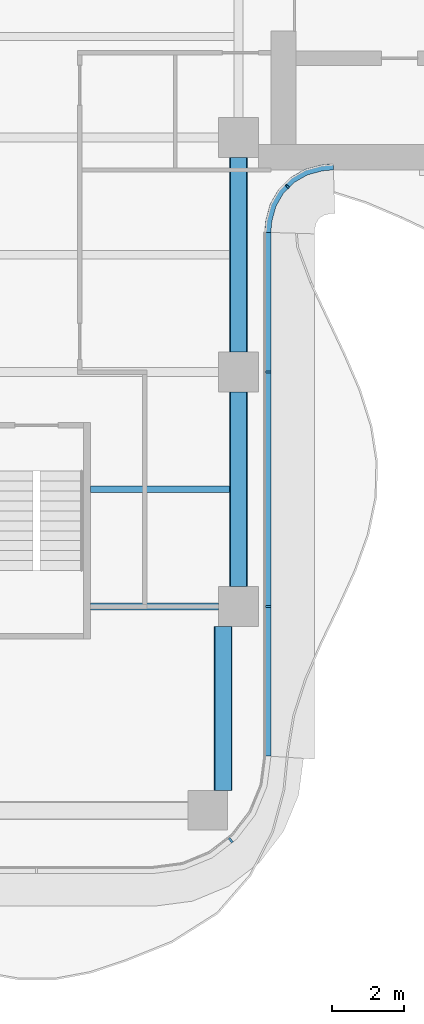
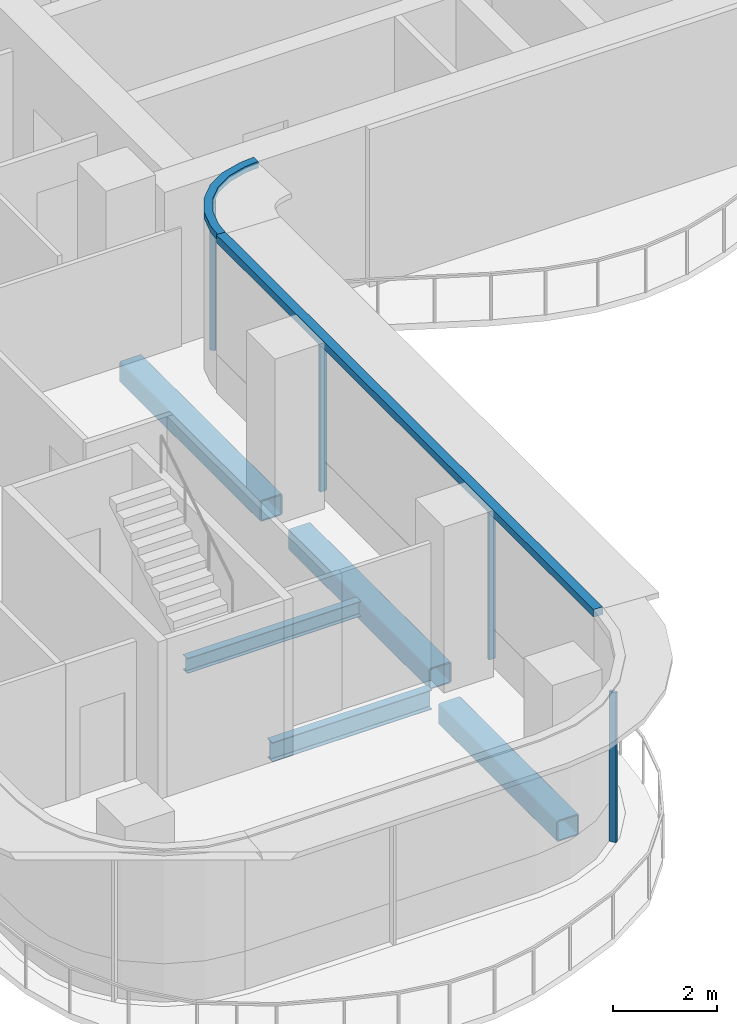
# One storey, part 5 of 17: 6 members, 5 beams, 3 elements without a shape of their own.
"""IFC4 building model written with IfcOpenShell, lengths in metres."""

from ifc_helpers import new_model, si_unit, direction, frame, origin, origin_2d, place, context, subcontext, project, spatial, polyline, rectangle, hollow_rectangle, i_section, outline, extrude, source, transform, mapped, material, layer, layer_set, material_profile, profile_set, type_object, element, aggregate, save


model = new_model("IFC4")

# Units and contexts
model_context = context("Model", 3, precision=1e-05, world=origin(), true_north=direction((0.0, 1.0)))
body_context = subcontext(model_context, "Body", "Model", "MODEL_VIEW")
ifc_project = project(units=[si_unit("LENGTHUNIT", "METRE"), si_unit("AREAUNIT", "SQUARE_METRE"), si_unit("VOLUMEUNIT", "CUBIC_METRE"), si_unit("PLANEANGLEUNIT", "RADIAN"), si_unit("MASSUNIT", "GRAM", prefix="KILO")], contexts=[model_context])

# Site, building, storey
site_placement = place(None, origin())
site = spatial("IfcSite", under=ifc_project, at=site_placement, CompositionType="ELEMENT")
building_placement = place(site_placement, origin())
building = spatial("IfcBuilding", under=site, at=building_placement, Name="Trellis Farm Tower", CompositionType="ELEMENT")
storey_placement = place(building_placement, frame((0.0, 0.0, 220.699951171875)))
storey = spatial("IfcBuildingStorey", under=building, at=storey_placement, Name="L48", CompositionType="ELEMENT", Elevation=220.699951171875)

# Beams
ifc_material_1 = material(Name="Steel S355", Category="steel")
ifc_material_profile_1 = material_profile(ifc_material_1, i_section(OverallWidth=0.1904296875, OverallDepth=0.45703125, WebThickness=0.009033203125, FlangeThickness=0.014404296875, FilletRadius=0.01025390625, at=origin_2d()), Name="UB 457x191x74")
ifc_profile_set_1 = profile_set([ifc_material_profile_1], Name="Steel S355")
beam_type_1 = type_object("IfcBeamType", Name="UB 457x191x74", PredefinedType="BEAM", material=ifc_profile_set_1)
shared_shape_1 = source(origin(), body_context, "Body", "SweptSolid", [
    extrude(i_section(OverallWidth=0.1904296875, OverallDepth=0.45703125, WebThickness=0.009033203125, FlangeThickness=0.014404296875, FilletRadius=0.01025390625, at=origin_2d()), origin(), (0.0, 0.0, 1.0), 3.550048828125),
])
beam_1_placement = place(storey_placement, frame((1.5, -18.60009765625, -0.428466796875), z_axis=(1.0, 0.0, 0.0), x_axis=(0.0, 1.0, 0.0)))
element("IfcBeam", 1, at=beam_1_placement, inside=storey, type_object=beam_type_1, Name="Girder", PredefinedType="BEAM", context=body_context, shape_type="MappedRepresentation", body=[
    mapped(shared_shape_1, transform((0.0, 0.0, 0.0))),
])
ifc_material_profile_2 = material_profile(ifc_material_1, hollow_rectangle(XDim=0.5, YDim=0.5, WallThickness=0.030029296875, InnerFilletRadius=0.030029296875, OuterFilletRadius=0.044921875, at=origin_2d()), Name="SHS 500x500x30")
ifc_profile_set_2 = profile_set([ifc_material_profile_2], Name="Steel S355")
beam_type_2 = type_object("IfcBeamType", Name="SHS 500x500x30", PredefinedType="BEAM", material=ifc_profile_set_2)
shared_shape_2 = source(origin(), body_context, "Body", "SweptSolid", [
    extrude(hollow_rectangle(XDim=0.5, YDim=0.5, WallThickness=0.030029296875, InnerFilletRadius=0.030029296875, OuterFilletRadius=0.044921875, at=origin_2d()), origin(), (0.0, 0.0, 1.0), 5.400146484375),
])
for number, where, z_axis, x_axis, name in (
    (2, (5.60009765625, -18.050048828125, -0.449951171875), (0.0, 1.0, 0.0), (-1.0, 0.0, 0.0), "Girder"),
    (3, (5.60009765625, -11.550048828125, -0.449951171875), (0.0, 1.0, 0.0), (-1.0, 0.0, 0.0), "Girder"),
):
    element("IfcBeam", number, at=place(storey_placement, frame(where, z_axis=z_axis, x_axis=x_axis)), inside=storey, type_object=beam_type_2, Name=name, PredefinedType="BEAM", context=body_context, shape_type="MappedRepresentation", body=[
        mapped(shared_shape_2, transform((0.0, 0.0, 0.0))),
    ])
shared_shape_3 = source(origin(), body_context, "Body", "SweptSolid", [
    extrude(hollow_rectangle(XDim=0.5, YDim=0.5, WallThickness=0.030029296875, InnerFilletRadius=0.030029296875, OuterFilletRadius=0.044921875, at=origin_2d()), origin(), (0.0, 0.0, 1.0), 4.550048828125),
])
beam_2_placement = place(storey_placement, frame((5.175048828125, -23.699951171875, -0.449951171875), z_axis=(0.0, 1.0, 0.0), x_axis=(-1.0, 0.0, 0.0)))
element("IfcBeam", 4, at=beam_2_placement, inside=storey, type_object=beam_type_2, Name="Girder", PredefinedType="BEAM", context=body_context, shape_type="MappedRepresentation", body=[
    mapped(shared_shape_3, transform((0.0, 0.0, 0.0))),
])
ifc_material_profile_3 = material_profile(ifc_material_1, i_section(OverallWidth=0.17138671875, OverallDepth=0.35498046875, WebThickness=0.00732421875, FlangeThickness=0.011474609375, FilletRadius=0.01025390625, at=origin_2d()), Name="UB 356x171x51")
ifc_profile_set_3 = profile_set([ifc_material_profile_3], Name="Steel S355")
beam_type_3 = type_object("IfcBeamType", Name="UB 356x171x51 joist", PredefinedType="JOIST", material=ifc_profile_set_3)
shared_shape_4 = source(origin(), body_context, "Body", "SweptSolid", [
    extrude(i_section(OverallWidth=0.17138671875, OverallDepth=0.35498046875, WebThickness=0.00732421875, FlangeThickness=0.011474609375, FilletRadius=0.01025390625, at=origin_2d()), origin(), (0.0, 0.0, 1.0), 3.85009765625),
])
beam_3_placement = place(storey_placement, frame((1.5, -15.35009765625, -0.37744140625), z_axis=(1.0, 0.0, 0.0), x_axis=(0.0, 1.0, 0.0)))
element("IfcBeam", 5, at=beam_3_placement, inside=storey, type_object=beam_type_3, Name="Floor beam", PredefinedType="JOIST", context=body_context, shape_type="MappedRepresentation", body=[
    mapped(shared_shape_4, transform((0.0, 0.0, 0.0))),
])

# Curtain wall, member
ifc_material_2 = material(Name="Aluminium and glass curtain wall", Category="aluminium")
ifc_layer_1 = layer(ifc_material_2, 0.166015625)
ifc_layer_set_1 = layer_set([ifc_layer_1], Name="WINTER GARDEN CURTAIN WALL CW3")
curtain_wall_type_1 = type_object("IfcCurtainWallType", Name="WINTER GARDEN CURTAIN WALL CW3", PredefinedType="NOTDEFINED", material=ifc_layer_set_1)
placement = place(storey_placement, origin())
curtain_wall_1 = element("IfcCurtainWall", 6, at=placement, inside=storey, type_object=curtain_wall_type_1, Name="CW3 002", PredefinedType="NOTDEFINED")
ifc_material_3 = material(Name="Aluminium extrusion 6063-T6", Category="aluminium")
ifc_layer_2 = layer(ifc_material_3, 0.169921875)
ifc_layer_set_2 = layer_set([ifc_layer_2], Name="Aluminium extrusion 6063-T6")
member_type_1 = type_object("IfcMemberType", Name="CW3 TRANSOM 170x150", PredefinedType="USERDEFINED", material=ifc_layer_set_2)
shared_shape_5 = source(origin(), body_context, "Body", "SweptSolid", [
    extrude(outline(polyline([(6.5, -8.2314453125), (6.513916015625, -8.01953125), (6.527587890625, -7.91552734375), (6.63671875, -7.508544921875), (6.846923828125, -7.144287109375), (7.144287109375, -6.846923828125), (7.508544921875, -6.63671875), (7.91552734375, -6.527587890625), (8.01953125, -6.513916015625), (8.2314453125, -6.5), (8.225830078125, -6.330078125), (8.0029296875, -6.3447265625), (7.88232421875, -6.360595703125), (7.44287109375, -6.478271484375), (7.0400390625, -6.7109375), (6.7109375, -7.0400390625), (6.478271484375, -7.44287109375), (6.360595703125, -7.88232421875), (6.3447265625, -8.0029296875), (6.330078125, -8.225830078125), (6.5, -8.2314453125)])), origin(), (0.0, 0.0, 1.0), 0.14990234375),
])
member_1_placement = place(storey_placement, frame((0.0, 0.0, 3.550048828125)))
member_1 = element("IfcMember", 7, at=member_1_placement, type_object=member_type_1, Name="TR3 002", ObjectType="TRANSOM", PredefinedType="USERDEFINED", context=body_context, shape_type="MappedRepresentation", body=[
    mapped(shared_shape_5, transform((0.0, 0.0, 0.0))),
])

ifc_layer_3 = layer(ifc_material_2, 0.18994140625)
ifc_layer_set_3 = layer_set([ifc_layer_3], Name="RIBBON CURTAIN WALL CW1")
curtain_wall_type_2 = type_object("IfcCurtainWallType", Name="RIBBON CURTAIN WALL CW1", PredefinedType="NOTDEFINED", material=ifc_layer_set_3)
curtain_wall_2 = element("IfcCurtainWall", 8, at=placement, inside=storey, type_object=curtain_wall_type_2, Name="CW1 004", PredefinedType="NOTDEFINED")
ifc_layer_4 = layer(ifc_material_3, 0.199951171875)
ifc_layer_set_4 = layer_set([ifc_layer_4], Name="Aluminium extrusion 6063-T6")
member_type_2 = type_object("IfcMemberType", Name="CW1 TRANSOM 200x180", PredefinedType="USERDEFINED", material=ifc_layer_set_4)
shared_shape_6 = source(origin(), body_context, "Body", "SweptSolid", [
    extrude(outline(polyline([(6.5, -22.75), (6.5, -8.2314453125), (6.300048828125, -8.224853515625), (6.300048828125, -22.73681640625), (6.5, -22.75)])), origin(), (0.0, 0.0, 1.0), 0.179931640625),
])
member_2_placement = place(storey_placement, frame((0.0, 0.0, 3.52001953125)))
member_2 = element("IfcMember", 9, at=member_2_placement, type_object=member_type_2, Name="TR1 004", ObjectType="TRANSOM", PredefinedType="USERDEFINED", context=body_context, shape_type="MappedRepresentation", body=[
    mapped(shared_shape_6, transform((0.0, 0.0, 0.0))),
])

curtain_wall_3 = element("IfcCurtainWall", 10, at=placement, inside=storey, type_object=curtain_wall_type_2, Name="CW1 003", PredefinedType="NOTDEFINED")
ifc_material_profile_4 = material_profile(ifc_material_3, rectangle(XDim=0.06005859375, YDim=0.14990234375, at=origin_2d()), Name="MULLION 60x150")
ifc_profile_set_4 = profile_set([ifc_material_profile_4], Name="Aluminium extrusion 6063-T6")
member_type_3 = type_object("IfcMemberType", Name="CW1 MULLION 60x150", PredefinedType="MULLION", material=ifc_profile_set_4)
shared_shape_7 = source(origin(), body_context, "Body", "SweptSolid", [
    extrude(rectangle(XDim=0.06005859375, YDim=0.14990234375, at=origin_2d()), origin(), (0.0, 0.0, 1.0), 3.52001953125),
])
member_3_placement = place(storey_placement, frame((5.385498046875, -25.078369140625, 0.0), z_axis=(0.0, 0.0, 1.0), x_axis=(0.793353340291, 0.608761429009, 0.0)))
member_3 = element("IfcMember", 11, at=member_3_placement, type_object=member_type_3, Name="MU1 003-02", PredefinedType="MULLION", context=body_context, shape_type="MappedRepresentation", body=[
    mapped(shared_shape_7, transform((0.0, 0.0, 0.0))),
])
aggregate(curtain_wall_3, [member_3])

# Member
member_4_placement = place(storey_placement, frame((6.425048828125, -18.60009765625, 0.0), z_axis=(0.0, 0.0, 1.0), x_axis=(0.0, 1.0, 0.0)))
member_4 = element("IfcMember", 12, at=member_4_placement, type_object=member_type_3, Name="MU1 004-01", PredefinedType="MULLION", context=body_context, shape_type="MappedRepresentation", body=[
    mapped(shared_shape_7, transform((0.0, 0.0, 0.0))),
])

member_5_placement = place(storey_placement, frame((6.425048828125, -12.10009765625, 0.0), z_axis=(0.0, 0.0, 1.0), x_axis=(0.0, 1.0, 0.0)))
member_5 = element("IfcMember", 13, at=member_5_placement, type_object=member_type_3, Name="MU1 004-02", PredefinedType="MULLION", context=body_context, shape_type="MappedRepresentation", body=[
    mapped(shared_shape_7, transform((0.0, 0.0, 0.0))),
])

aggregate(curtain_wall_2, [member_4, member_5, member_2])

ifc_material_profile_5 = material_profile(ifc_material_3, rectangle(XDim=0.050048828125, YDim=0.1201171875, at=origin_2d()), Name="MULLION 50x120")
ifc_profile_set_5 = profile_set([ifc_material_profile_5], Name="Aluminium extrusion 6063-T6")
member_type_4 = type_object("IfcMemberType", Name="CW3 MULLION 50x120", PredefinedType="MULLION", material=ifc_profile_set_5)
shared_shape_8 = source(origin(), body_context, "Body", "SweptSolid", [
    extrude(rectangle(XDim=0.050048828125, YDim=0.1201171875, at=origin_2d()), origin(), (0.0, 0.0, 1.0), 3.550048828125),
])
member_6_placement = place(storey_placement, frame((6.953125, -6.953125, 0.0), z_axis=(0.0, 0.0, 1.0), x_axis=(0.707106781187, 0.707106781187, 0.0)))
member_6 = element("IfcMember", 14, at=member_6_placement, type_object=member_type_4, Name="MU3 002-01", PredefinedType="MULLION", context=body_context, shape_type="MappedRepresentation", body=[
    mapped(shared_shape_8, transform((0.0, 0.0, 0.0))),
])

aggregate(curtain_wall_1, [member_6, member_1])

save(model, "model.ifc")
